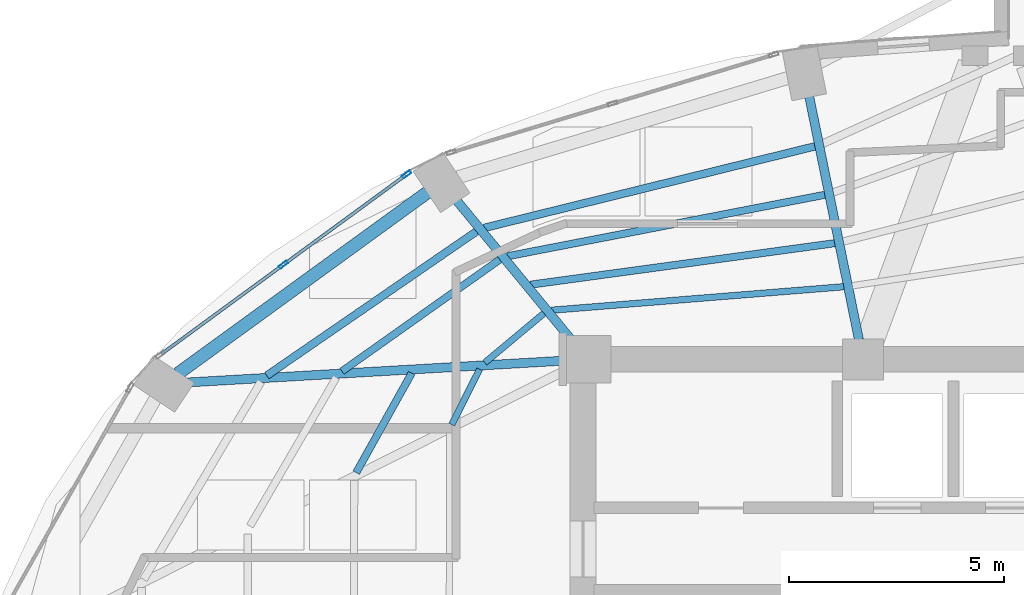
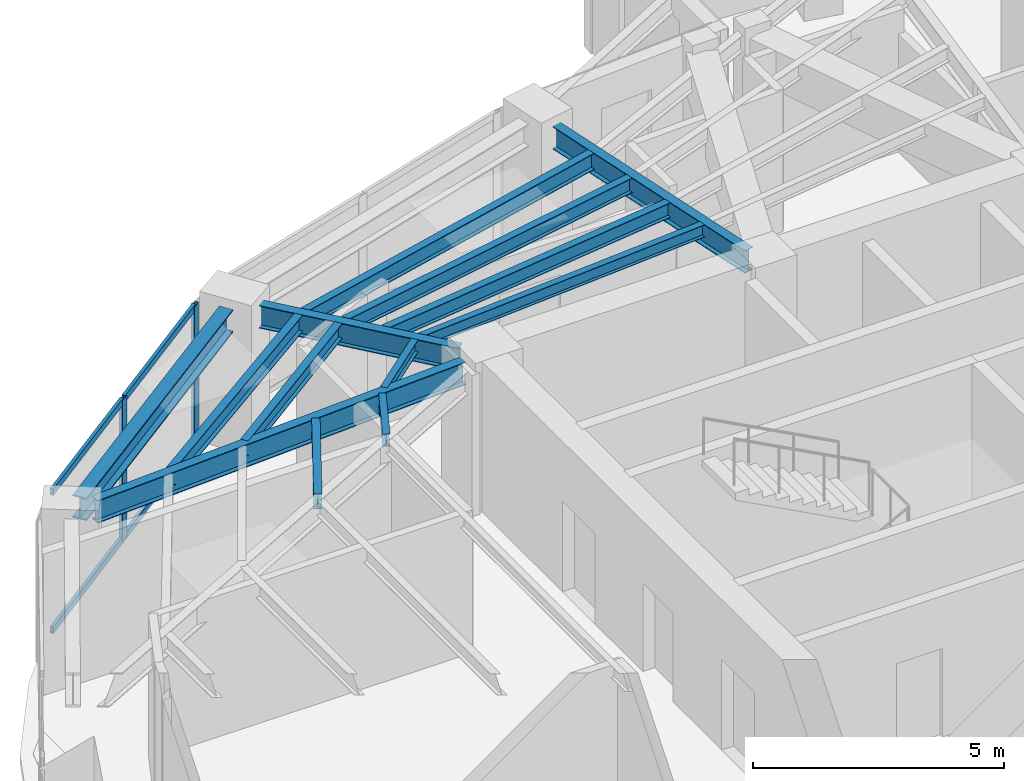
# One storey, part 7 of 19: 13 beams, 6 members, 1 element without a shape of its own.
"""IFC4 building model written with IfcOpenShell, lengths in metres."""

import ifcopenshell
import ifcopenshell.guid

model = None  # the IFC model being written
_history = None  # IfcOwnerHistory: only IFC2X3 demands one
_inside = {}  # id of a spatial element -> (the spatial element, [elements in it])
_under = {}  # id of a project, library or spatial element -> (it, [spatial elements below it])
_declared = {}  # id of a project -> (the project, [libraries it declares])
_typed = {}  # id of a type object -> (the type object, [elements of that type])
_made_of = {}  # id of a material, layer set ... -> (it, [elements and type objects made of it])


def new_model(schema):
    """Start an empty IFC model of exactly this schema.

    Asked for "IFC4X3", IfcOpenShell would pick the latest addendum, in which some entities
    have other attributes; the version numbers below select the first issue.
    IFC2X3 requires an IfcOwnerHistory on every rooted entity: one is made here for all.
    """
    global model, _history
    if schema == "IFC4X3":
        model = ifcopenshell.file(schema_version=(4, 3, 0, 0))
    else:
        model = ifcopenshell.file(schema=schema)
    _inside.clear()
    _under.clear()
    _declared.clear()
    _typed.clear()
    _made_of.clear()
    _history = None
    if model.schema == "IFC2X3":
        org = make("IfcOrganization", Name="unknown")
        user = make(
            "IfcPersonAndOrganization",
            ThePerson=make("IfcPerson", FamilyName="unknown"),
            TheOrganization=org,
        )
        app = make(
            "IfcApplication",
            ApplicationDeveloper=org,
            Version="unknown",
            ApplicationFullName="unknown",
            ApplicationIdentifier="unknown",
        )
        _history = make(
            "IfcOwnerHistory",
            OwningUser=user,
            OwningApplication=app,
            ChangeAction="ADDED",
            CreationDate=0,
        )
    return model


def make(cls, **values):
    """One entity of the class cls with the attributes given. An attribute that is None is left unset."""
    return model.create_entity(
        cls, **{name: value for name, value in values.items() if value is not None}
    )


def rooted(cls, **values):
    """An entity with a GlobalId (a new one), such as an element, a storey or a relation."""
    return make(cls, GlobalId=ifcopenshell.guid.new(), OwnerHistory=_history, **values)


def si_unit(unit_type, name, prefix=None):
    """IfcSIUnit, for example si_unit("LENGTHUNIT", "METRE", prefix="MILLI")."""
    return make("IfcSIUnit", UnitType=unit_type, Prefix=prefix, Name=name)


def assignment(units):
    """IfcUnitAssignment: the units of a project."""
    return None if units is None else make("IfcUnitAssignment", Units=units)


def point(xyz):
    """IfcCartesianPoint."""
    return None if xyz is None else make("IfcCartesianPoint", Coordinates=xyz)


def direction(xyz):
    """IfcDirection."""
    return None if xyz is None else make("IfcDirection", DirectionRatios=xyz)


def frame(location, z_axis=None, x_axis=None):
    """IfcAxis2Placement3D, a coordinate frame: its origin and axes. An axis left out is left unset."""
    return make(
        "IfcAxis2Placement3D",
        Location=point(location),
        Axis=direction(z_axis),
        RefDirection=direction(x_axis),
    )


def frame_2d(location, x_axis=None):
    """IfcAxis2Placement2D, a coordinate frame in the plane: its origin and x axis."""
    return make(
        "IfcAxis2Placement2D", Location=point(location), RefDirection=direction(x_axis)
    )


def origin():
    """The frame at (0, 0, 0) with its axes left unset."""
    return frame((0.0, 0.0, 0.0))


def origin_2d():
    """The frame at (0, 0) in the plane with its x axis left unset."""
    return frame_2d((0.0, 0.0))


def place(relative_to, where):
    """IfcLocalPlacement: puts the frame where relative to a parent placement (None: the world)."""
    return make(
        "IfcLocalPlacement", PlacementRelTo=relative_to, RelativePlacement=where
    )


def context(
    kind, dimensions, precision=None, world=None, true_north=None, identifier=None
):
    """IfcGeometricRepresentationContext, for example the 3D "Model" context."""
    return make(
        "IfcGeometricRepresentationContext",
        ContextIdentifier=identifier,
        ContextType=kind,
        CoordinateSpaceDimension=dimensions,
        Precision=precision,
        WorldCoordinateSystem=world,
        TrueNorth=true_north,
    )


def subcontext(parent, identifier, kind, view, scale=None):
    """IfcGeometricRepresentationSubContext, for example "Body" below "Model"."""
    return make(
        "IfcGeometricRepresentationSubContext",
        ContextIdentifier=identifier,
        ContextType=kind,
        ParentContext=parent,
        TargetScale=scale,
        TargetView=view,
    )


def project(units=None, contexts=None):
    """IfcProject with its units and contexts."""
    return rooted(
        "IfcProject",
        Name="project",
        RepresentationContexts=contexts,
        UnitsInContext=assignment(units),
    )


def spatial(cls, under=None, at=None, **own):
    """A site, building, storey or space (cls), placed at a placement, below another one or the project."""
    s = rooted(cls, ObjectPlacement=at, **own)
    if under is not None:
        _under.setdefault(under.id(), (under, []))[1].append(s)
    return s


def profile(cls, at=None, kind="AREA", **sizes):
    """A parametric profile (cls). Its sizes go by their IFC names, for example OverallWidth=200.0."""
    return make(cls, ProfileType=kind, Position=at, **sizes)


def hollow_rectangle(**sizes):
    """IfcRectangleHollowProfileDef."""
    return profile("IfcRectangleHollowProfileDef", **sizes)


def i_section(**sizes):
    """IfcIShapeProfileDef."""
    return profile("IfcIShapeProfileDef", **sizes)


def extrude(swept, where, along, depth):
    """IfcExtrudedAreaSolid: the profile swept, set in the frame where, extruded along a direction by depth."""
    return make(
        "IfcExtrudedAreaSolid",
        SweptArea=swept,
        Position=where,
        ExtrudedDirection=direction(along),
        Depth=depth,
    )


def shape(context_of_items, identifier, shape_type, items):
    """IfcShapeRepresentation: the items that make up one representation, for example the "Body"."""
    return make(
        "IfcShapeRepresentation",
        ContextOfItems=context_of_items,
        RepresentationIdentifier=identifier,
        RepresentationType=shape_type,
        Items=items,
    )


def material(Name=None, Category=None):
    """IfcMaterial."""
    return make("IfcMaterial", Name=Name, Category=Category)


def layer(
    of_material, thickness, ventilated=None, Name=None, Category=None, Priority=None
):
    """IfcMaterialLayer: one layer of a wall or slab, of a material (None: an air gap)."""
    return make(
        "IfcMaterialLayer",
        Material=of_material,
        LayerThickness=thickness,
        IsVentilated=ventilated,
        Name=Name,
        Category=Category,
        Priority=Priority,
    )


def layer_set(layers, Name=None):
    """IfcMaterialLayerSet."""
    return make("IfcMaterialLayerSet", MaterialLayers=layers, LayerSetName=Name)


def material_profile(
    of_material, cross_section, Name=None, Category=None, Priority=None
):
    """IfcMaterialProfile: a cross section and its material."""
    return make(
        "IfcMaterialProfile",
        Name=Name,
        Material=of_material,
        Profile=cross_section,
        Priority=Priority,
        Category=Category,
    )


def profile_set(profiles, Name=None, composite=None):
    """IfcMaterialProfileSet."""
    return make(
        "IfcMaterialProfileSet",
        Name=Name,
        MaterialProfiles=profiles,
        CompositeProfile=composite,
    )


def made_of(thing, what):
    """Note that an element or type object is made of a material, layer set ...; save() writes the relation."""
    if what is not None:
        _made_of.setdefault(what.id(), (what, []))[1].append(thing)
    return thing


def type_object(cls, material=None, **own):
    """A type object (cls), such as IfcWallType, which elements share."""
    return made_of(rooted(cls, **own), material)


def element(
    cls,
    number,
    at=None,
    inside=None,
    cuts=None,
    type_object=None,
    material=None,
    context=None,
    identifier="Body",
    shape_type=None,
    held_by="IfcProductDefinitionShape",
    body=None,
    shapes=None,
    **own,
):
    """One element of the class cls, such as IfcWall. Its Tag is "e" and its number.

    at: its placement. inside: the storey or other place that contains it. cuts: it is an
    opening in that element (IfcRelVoidsElement). A single representation is given by context,
    identifier, shape_type and body (its items); several are given by shapes. held_by: the class
    of the entity that holds the representations. save() writes the other relations.
    """
    e = rooted(cls, Tag="e%d" % number, ObjectPlacement=at, **own)
    if body is not None:
        shapes = [shape(context, identifier, shape_type, body)]
    if shapes is not None:
        e.Representation = make(held_by, Representations=shapes)
    if inside is not None:
        _inside.setdefault(inside.id(), (inside, []))[1].append(e)
    if cuts is not None:
        rooted(
            "IfcRelVoidsElement", RelatingBuildingElement=cuts, RelatedOpeningElement=e
        )
    if type_object is not None:
        _typed.setdefault(type_object.id(), (type_object, []))[1].append(e)
    return made_of(e, material)


def aggregate(whole, parts):
    """IfcRelAggregates: a whole, such as a stair, and the parts it consists of."""
    return rooted("IfcRelAggregates", RelatingObject=whole, RelatedObjects=parts)


def save(model, path):
    """Write the relations noted so far, then the file.

    IfcRelAggregates (storeys below a building ...), IfcRelContainedInSpatialStructure (elements
    in a storey), IfcRelDefinesByType, IfcRelAssociatesMaterial and IfcRelDeclares: one each for
    every whole, place, type object, material and project.
    """
    for whole, parts in _under.values():
        aggregate(whole, parts)
    for where, things in _inside.values():
        rooted(
            "IfcRelContainedInSpatialStructure",
            RelatedElements=things,
            RelatingStructure=where,
        )
    for kind, things in _typed.values():
        rooted("IfcRelDefinesByType", RelatedObjects=things, RelatingType=kind)
    for what, things in _made_of.values():
        rooted("IfcRelAssociatesMaterial", RelatedObjects=things, RelatingMaterial=what)
    for by, libraries in _declared.values():
        rooted("IfcRelDeclares", RelatingContext=by, RelatedDefinitions=libraries)
    model.write(path)


model = new_model("IFC4")

# Units and contexts
model_context = context("Model", 3, precision=1e-05, world=origin(), true_north=direction((0.0, 1.0)))
body_context = subcontext(model_context, "Body", "Model", "MODEL_VIEW")
ifc_project = project(units=[si_unit("LENGTHUNIT", "METRE"), si_unit("AREAUNIT", "SQUARE_METRE"), si_unit("VOLUMEUNIT", "CUBIC_METRE"), si_unit("PLANEANGLEUNIT", "RADIAN"), si_unit("MASSUNIT", "GRAM", prefix="KILO")], contexts=[model_context])

# Site, building, storey
site_placement = place(None, origin())
site = spatial("IfcSite", under=ifc_project, at=site_placement, CompositionType="ELEMENT")
building_placement = place(site_placement, origin())
building = spatial("IfcBuilding", under=site, at=building_placement, Name="Lazwardi Medical Tower", CompositionType="ELEMENT")
storey_placement = place(building_placement, frame((0.0, 0.0, 167.471923828125)))
storey = spatial("IfcBuildingStorey", under=building, at=storey_placement, Name="L43", CompositionType="ELEMENT", Elevation=167.471923828125)

# Beams
ifc_material_1 = material(Name="Steel S355", Category="steel")
ifc_material_profile_1 = material_profile(ifc_material_1, i_section(OverallWidth=0.300048828125, OverallDepth=0.550048828125, WebThickness=0.014892578125, FlangeThickness=0.029052734375, at=origin_2d()), Name="HEB 550")
ifc_profile_set_1 = profile_set([ifc_material_profile_1], Name="Steel S355")
beam_type_1 = type_object("IfcBeamType", Name="BM-RB-Z3", PredefinedType="BEAM", material=ifc_profile_set_1)
beam_1_placement = place(storey_placement, frame((22.689697265625, 39.479248046875, 3.153076171875), z_axis=(-0.809127570774, -0.587633026824, 0.0), x_axis=(0.587633026824, -0.809127570774, 0.0)))
element("IfcBeam", 1, at=beam_1_placement, inside=storey, type_object=beam_type_1, Name="Ring beam RB-04 B10 L43", PredefinedType="BEAM", context=body_context, shape_type="SweptSolid", body=[
    extrude(i_section(OverallWidth=0.300048828125, OverallDepth=0.550048828125, WebThickness=0.014892578125, FlangeThickness=0.029052734375, at=origin_2d()), origin(), (0.0, 0.0, 1.0), 7.170166015625),
])
ifc_material_profile_2 = material_profile(ifc_material_1, i_section(OverallWidth=0.2099609375, OverallDepth=0.550048828125, WebThickness=0.010986328125, FlangeThickness=0.01708984375, at=origin_2d()), Name="IPE 550")
ifc_profile_set_2 = profile_set([ifc_material_profile_2], Name="Steel S355")
beam_type_2 = type_object("IfcBeamType", Name="BM-RG-W2", PredefinedType="BEAM", material=ifc_profile_set_2)
beam_2_placement = place(storey_placement, frame((31.552001953125, 41.7001953125, 3.153076171875), z_axis=(0.200429485343, -0.979708130723, 0.0), x_axis=(0.979708130723, 0.200429485343, 0.0)))
element("IfcBeam", 2, at=beam_2_placement, inside=storey, type_object=beam_type_2, Name="Radial girder RG-03 R09 L43", PredefinedType="BEAM", context=body_context, shape_type="SweptSolid", body=[
    extrude(i_section(OverallWidth=0.2099609375, OverallDepth=0.550048828125, WebThickness=0.010986328125, FlangeThickness=0.01708984375, at=origin_2d()), origin(), (0.0, 0.0, 1.0), 5.766357421875),
])
beam_3_placement = place(storey_placement, frame((23.369384765625, 39.28173828125, 3.153076171875), z_axis=(0.635555639966, -0.772055068312, 0.0), x_axis=(0.772055068312, 0.635555639966, 0.0)))
element("IfcBeam", 3, at=beam_3_placement, inside=storey, type_object=beam_type_2, Name="Radial girder RG-03 R10 L43", PredefinedType="BEAM", context=body_context, shape_type="SweptSolid", body=[
    extrude(i_section(OverallWidth=0.2099609375, OverallDepth=0.550048828125, WebThickness=0.010986328125, FlangeThickness=0.01708984375, at=origin_2d()), origin(), (0.0, 0.0, 1.0), 4.233642578125),
])
beam_4_placement = place(storey_placement, frame((17.12353515625, 35.063232421875, 3.153076171875), z_axis=(0.998330154646, 0.057765927014, 0.0), x_axis=(-0.057765927014, 0.998330154646, 0.0)))
element("IfcBeam", 4, at=beam_4_placement, inside=storey, type_object=beam_type_2, Name="Radial girder RG-03 R11 L43", PredefinedType="BEAM", context=body_context, shape_type="SweptSolid", body=[
    extrude(i_section(OverallWidth=0.2099609375, OverallDepth=0.550048828125, WebThickness=0.010986328125, FlangeThickness=0.01708984375, at=origin_2d()), origin(), (0.0, 0.0, 1.0), 8.757080078125),
])
ifc_material_profile_3 = material_profile(ifc_material_1, i_section(OverallWidth=0.179931640625, OverallDepth=0.39990234375, WebThickness=0.008544921875, FlangeThickness=0.013427734375, at=origin_2d()), Name="IPE 400")
ifc_profile_set_3 = profile_set([ifc_material_profile_3], Name="Steel S355")
beam_type_3 = type_object("IfcBeamType", Name="BM-SJ-01", PredefinedType="JOIST", material=ifc_profile_set_3)
beam_5_placement = place(storey_placement, frame((31.68603515625, 40.54638671875, 3.22802734375), z_axis=(-0.970912648168, -0.239433977597, 0.0), x_axis=(0.239433977597, -0.970912648168, 0.0)))
element("IfcBeam", 5, at=beam_5_placement, inside=storey, type_object=beam_type_3, Name="Secondary joist SJ-01 R1 B09 L43", PredefinedType="JOIST", context=body_context, shape_type="SweptSolid", body=[
    extrude(i_section(OverallWidth=0.179931640625, OverallDepth=0.39990234375, WebThickness=0.008544921875, FlangeThickness=0.013427734375, at=origin_2d()), origin(), (0.0, 0.0, 1.0), 7.91162109375),
])
beam_6_placement = place(storey_placement, frame((23.8251953125, 38.5712890625, 3.22802734375), z_axis=(-0.823932256005, -0.566688307198, 0.0), x_axis=(0.566688307198, -0.823932256005, 0.0)))
element("IfcBeam", 6, at=beam_6_placement, inside=storey, type_object=beam_type_3, Name="Secondary joist SJ-01 R1 B10 L43", PredefinedType="JOIST", context=body_context, shape_type="SweptSolid", body=[
    extrude(i_section(OverallWidth=0.179931640625, OverallDepth=0.39990234375, WebThickness=0.008544921875, FlangeThickness=0.013427734375, at=origin_2d()), origin(), (0.0, 0.0, 1.0), 5.91162109375),
])
ifc_material_profile_4 = material_profile(ifc_material_1, i_section(OverallWidth=0.169921875, OverallDepth=0.360107421875, WebThickness=0.008056640625, FlangeThickness=0.0126953125, at=origin_2d()), Name="IPE 360")
ifc_profile_set_4 = profile_set([ifc_material_profile_4], Name="Steel S355")
beam_type_4 = type_object("IfcBeamType", Name="BM-SJ-02", PredefinedType="JOIST", material=ifc_profile_set_4)
beam_7_placement = place(storey_placement, frame((31.916015625, 39.42138671875, 3.248046875), z_axis=(-0.981753035865, -0.190160396953, 0.0), x_axis=(0.190160396953, -0.981753035865, 0.0)))
element("IfcBeam", 7, at=beam_7_placement, inside=storey, type_object=beam_type_4, Name="Secondary joist SJ-02 R2 B09 L43", PredefinedType="JOIST", context=body_context, shape_type="SweptSolid", body=[
    extrude(i_section(OverallWidth=0.169921875, OverallDepth=0.360107421875, WebThickness=0.008056640625, FlangeThickness=0.0126953125, at=origin_2d()), origin(), (0.0, 0.0, 1.0), 7.50927734375),
])
beam_8_placement = place(storey_placement, frame((24.364013671875, 37.91650390625, 3.248046875), z_axis=(-0.816108950798, -0.577898070967, 0.0), x_axis=(0.577898070967, -0.816108950798, 0.0)))
element("IfcBeam", 8, at=beam_8_placement, inside=storey, type_object=beam_type_4, Name="Secondary joist SJ-02 R2 B10 L43", PredefinedType="JOIST", context=body_context, shape_type="SweptSolid", body=[
    extrude(i_section(OverallWidth=0.169921875, OverallDepth=0.360107421875, WebThickness=0.008056640625, FlangeThickness=0.0126953125, at=origin_2d()), origin(), (0.0, 0.0, 1.0), 4.487060546875),
])
beam_9_placement = place(storey_placement, frame((32.146484375, 38.297119140625, 3.248046875), z_axis=(-0.990832043476, -0.135099450852, 0.0), x_axis=(0.135099450852, -0.990832043476, 0.0)))
element("IfcBeam", 9, at=beam_9_placement, inside=storey, type_object=beam_type_4, Name="Secondary joist SJ-02 R3 B09 L43", PredefinedType="JOIST", context=body_context, shape_type="SweptSolid", body=[
    extrude(i_section(OverallWidth=0.169921875, OverallDepth=0.360107421875, WebThickness=0.008056640625, FlangeThickness=0.0126953125, at=origin_2d()), origin(), (0.0, 0.0, 1.0), 7.129150390625),
])
beam_10_placement = place(storey_placement, frame((22.3203125, 35.279296875, 3.248046875), z_axis=(-0.487099444348, -0.87334651274, 0.0), x_axis=(0.87334651274, -0.487099444348, 0.0)))
element("IfcBeam", 10, at=beam_10_placement, inside=storey, type_object=beam_type_4, Name="Secondary joist SJ-02 R3 B11 L43", PredefinedType="JOIST", context=body_context, shape_type="SweptSolid", body=[
    extrude(i_section(OverallWidth=0.169921875, OverallDepth=0.360107421875, WebThickness=0.008056640625, FlangeThickness=0.0126953125, at=origin_2d()), origin(), (0.0, 0.0, 1.0), 2.64599609375),
])
ifc_material_profile_5 = material_profile(ifc_material_1, i_section(OverallWidth=0.14990234375, OverallDepth=0.300048828125, WebThickness=0.007080078125, FlangeThickness=0.0107421875, at=origin_2d()), Name="IPE 300")
ifc_profile_set_5 = profile_set([ifc_material_profile_5], Name="Steel S355")
beam_type_5 = type_object("IfcBeamType", Name="BM-SJ-03", PredefinedType="JOIST", material=ifc_profile_set_5)
beam_11_placement = place(storey_placement, frame((32.353759765625, 37.28564453125, 3.278076171875), z_axis=(-0.996785792338, -0.08011294647, 0.0), x_axis=(0.08011294647, -0.996785792338, 0.0)))
element("IfcBeam", 11, at=beam_11_placement, inside=storey, type_object=beam_type_5, Name="Secondary joist SJ-03 R4 B09 L43", PredefinedType="JOIST", context=body_context, shape_type="SweptSolid", body=[
    extrude(i_section(OverallWidth=0.14990234375, OverallDepth=0.300048828125, WebThickness=0.007080078125, FlangeThickness=0.0107421875, at=origin_2d()), origin(), (0.0, 0.0, 1.0), 6.80810546875),
])
beam_12_placement = place(storey_placement, frame((25.391357421875, 36.668212890625, 3.278076171875), z_axis=(-0.767437193893, -0.641124132621, 0.0), x_axis=(0.641124132621, -0.767437193893, 0.0)))
element("IfcBeam", 12, at=beam_12_placement, inside=storey, type_object=beam_type_5, Name="Secondary joist SJ-03 R4 B10 L43", PredefinedType="JOIST", context=body_context, shape_type="SweptSolid", body=[
    extrude(i_section(OverallWidth=0.14990234375, OverallDepth=0.300048828125, WebThickness=0.007080078125, FlangeThickness=0.0107421875, at=origin_2d()), origin(), (0.0, 0.0, 1.0), 1.787841796875),
])
beam_13_placement = place(storey_placement, frame((23.8974609375, 35.368408203125, 3.278076171875), z_axis=(-0.450406075332, -0.892823816497, 0.0), x_axis=(0.892823816497, -0.450406075332, 0.0)))
element("IfcBeam", 13, at=beam_13_placement, inside=storey, type_object=beam_type_5, Name="Secondary joist SJ-03 R4 B11 L43", PredefinedType="JOIST", context=body_context, shape_type="SweptSolid", body=[
    extrude(i_section(OverallWidth=0.14990234375, OverallDepth=0.300048828125, WebThickness=0.007080078125, FlangeThickness=0.0107421875, at=origin_2d()), origin(), (0.0, 0.0, 1.0), 1.4365234375),
])

# Curtain wall, members
ifc_material_2 = material(Name="Anodised bronze aluminium and solar control glazing", Category="aluminium")
ifc_layer = layer(ifc_material_2, 0.195068359375)
ifc_layer_set = layer_set([ifc_layer], Name="Anodised bronze aluminium and solar control glazing")
curtain_wall_type = type_object("IfcCurtainWallType", Name="CW-SYS-03", PredefinedType="NOTDEFINED", material=ifc_layer_set)
curtain_wall_placement = place(storey_placement, origin())
curtain_wall = element("IfcCurtainWall", 14, at=curtain_wall_placement, inside=storey, type_object=curtain_wall_type, Name="L43 Unitised bronze curtain wall CW-03", PredefinedType="NOTDEFINED")
ifc_material_3 = material(Name="Anodised bronze aluminium", Category="aluminium")
ifc_material_profile_6 = material_profile(ifc_material_3, hollow_rectangle(XDim=0.074951171875, YDim=0.219970703125, WallThickness=0.00390625, at=origin_2d()), Name="ALU-MULLION 220x75x4")
ifc_profile_set_6 = profile_set([ifc_material_profile_6], Name="Anodised bronze aluminium")
member_type_1 = type_object("IfcMemberType", Name="CW-MUL-01", PredefinedType="MULLION", material=ifc_profile_set_6)
member_1_placement = place(storey_placement, frame((22.204345703125, 39.894775390625, 0.0), z_axis=(0.0, 0.0, 1.0), x_axis=(0.590833862635, -0.806793249082, 0.0)))
member_1 = element("IfcMember", 15, at=member_1_placement, type_object=member_type_1, Name="CW-03 mullion 1", PredefinedType="MULLION", context=body_context, shape_type="SweptSolid", body=[
    extrude(hollow_rectangle(XDim=0.074951171875, YDim=0.219970703125, WallThickness=0.00390625, at=origin_2d()), origin(), (0.0, 0.0, 1.0), 3.427978515625),
])
member_2_placement = place(storey_placement, frame((19.34228515625, 37.798828125, 0.0), z_axis=(0.0, 0.0, 1.0), x_axis=(0.590833862635, -0.806793249082, 0.0)))
member_2 = element("IfcMember", 16, at=member_2_placement, type_object=member_type_1, Name="CW-03 mullion 2", PredefinedType="MULLION", context=body_context, shape_type="SweptSolid", body=[
    extrude(hollow_rectangle(XDim=0.074951171875, YDim=0.219970703125, WallThickness=0.00390625, at=origin_2d()), origin(), (0.0, 0.0, 1.0), 3.427978515625),
])
ifc_material_profile_7 = material_profile(ifc_material_3, hollow_rectangle(XDim=0.074951171875, YDim=0.159912109375, WallThickness=0.00390625, at=origin_2d()), Name="ALU-TRANSOM 160x75x4")
ifc_profile_set_7 = profile_set([ifc_material_profile_7], Name="Anodised bronze aluminium")
member_type_2 = type_object("IfcMemberType", Name="CW-TRN-01", PredefinedType="USERDEFINED", material=ifc_profile_set_7)
member_3_placement = place(storey_placement, frame((22.174072265625, 39.872802734375, 0.03759765625), z_axis=(-0.806773646358, -0.590860629542, 0.0), x_axis=(0.590860629542, -0.806773646358, 0.0)))
member_3 = element("IfcMember", 17, at=member_3_placement, type_object=member_type_2, Name="CW-03 transom 1.1", ObjectType="TRANSOM", PredefinedType="USERDEFINED", context=body_context, shape_type="SweptSolid", body=[
    extrude(hollow_rectangle(XDim=0.074951171875, YDim=0.159912109375, WallThickness=0.00390625, at=origin_2d()), origin(), (0.0, 0.0, 1.0), 3.472412109375),
])
member_4_placement = place(storey_placement, frame((22.174072265625, 39.872802734375, 3.390625), z_axis=(-0.806773646358, -0.590860629542, 0.0), x_axis=(0.590860629542, -0.806773646358, 0.0)))
member_4 = element("IfcMember", 18, at=member_4_placement, type_object=member_type_2, Name="CW-03 transom 1.2", ObjectType="TRANSOM", PredefinedType="USERDEFINED", context=body_context, shape_type="SweptSolid", body=[
    extrude(hollow_rectangle(XDim=0.074951171875, YDim=0.159912109375, WallThickness=0.00390625, at=origin_2d()), origin(), (0.0, 0.0, 1.0), 3.472412109375),
])
member_5_placement = place(storey_placement, frame((19.31201171875, 37.77685546875, 0.03759765625), z_axis=(-0.806773646358, -0.590860629542, 0.0), x_axis=(0.590860629542, -0.806773646358, 0.0)))
member_5 = element("IfcMember", 19, at=member_5_placement, type_object=member_type_2, Name="CW-03 transom 2.1", ObjectType="TRANSOM", PredefinedType="USERDEFINED", context=body_context, shape_type="SweptSolid", body=[
    extrude(hollow_rectangle(XDim=0.074951171875, YDim=0.159912109375, WallThickness=0.00390625, at=origin_2d()), origin(), (0.0, 0.0, 1.0), 3.472412109375),
])
member_6_placement = place(storey_placement, frame((19.31201171875, 37.77685546875, 3.390625), z_axis=(-0.806773646358, -0.590860629542, 0.0), x_axis=(0.590860629542, -0.806773646358, 0.0)))
member_6 = element("IfcMember", 20, at=member_6_placement, type_object=member_type_2, Name="CW-03 transom 2.2", ObjectType="TRANSOM", PredefinedType="USERDEFINED", context=body_context, shape_type="SweptSolid", body=[
    extrude(hollow_rectangle(XDim=0.074951171875, YDim=0.159912109375, WallThickness=0.00390625, at=origin_2d()), origin(), (0.0, 0.0, 1.0), 3.472412109375),
])
aggregate(curtain_wall, [member_1, member_2, member_3, member_4, member_5, member_6])

save(model, "model.ifc")
